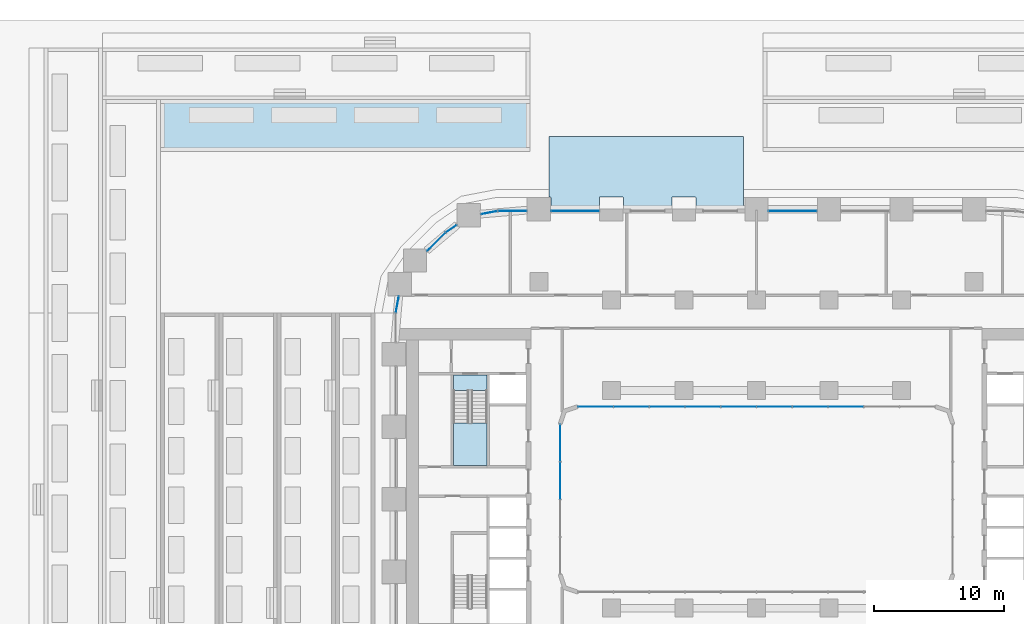
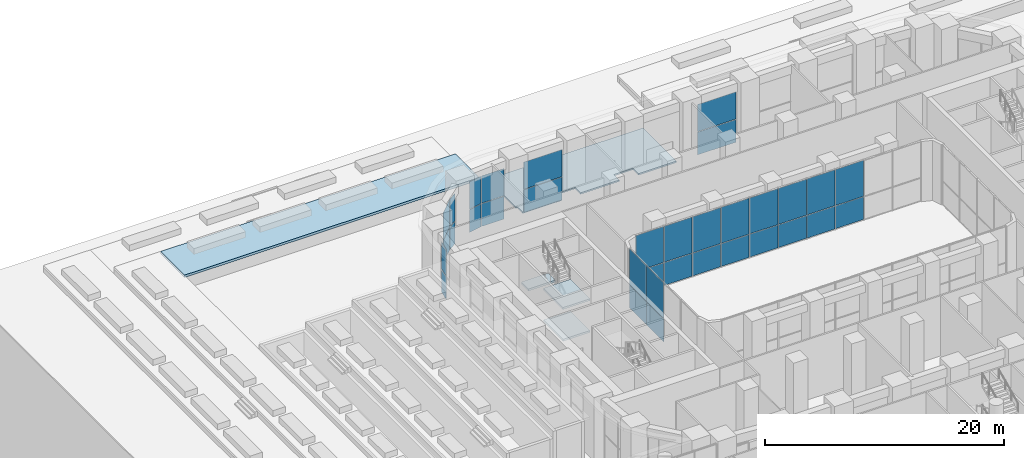
# One storey, part 25 of 51: 34 plates, 5 slabs, 10 elements without a shape of their own.
"""IFC4 building model written with IfcOpenShell, lengths in metres."""

from ifc_helpers import new_model, si_unit, direction, frame, origin, origin_2d, place, context, subcontext, project, spatial, polyline, rectangle, outline, extrude, material, layer, layer_set, type_object, element, aggregate, save


model = new_model("IFC4")

# Units and contexts
model_context = context("Model", 3, precision=1e-05, world=origin(), true_north=direction((0.0, 1.0)))
body_context = subcontext(model_context, "Body", "Model", "MODEL_VIEW")
ifc_project = project(units=[si_unit("LENGTHUNIT", "METRE"), si_unit("AREAUNIT", "SQUARE_METRE"), si_unit("VOLUMEUNIT", "CUBIC_METRE"), si_unit("PLANEANGLEUNIT", "RADIAN"), si_unit("MASSUNIT", "GRAM", prefix="KILO")], contexts=[model_context])

# Site, building, storey
site_placement = place(None, origin())
site = spatial("IfcSite", under=ifc_project, at=site_placement, CompositionType="ELEMENT")
building_placement = place(site_placement, origin())
building = spatial("IfcBuilding", under=site, at=building_placement, Name="Kiln Ring Residences", CompositionType="ELEMENT")
storey_placement = place(building_placement, origin())
storey = spatial("IfcBuildingStorey", under=building, at=storey_placement, Name="L00", CompositionType="ELEMENT", Elevation=0.0)

# Stair, slabs
ifc_material_1 = material(Name="Concrete C40/50", Category="concrete")
stair_type = type_object("IfcStairType", Name="CORE-STAIR", PredefinedType="HALF_TURN_STAIR", material=ifc_material_1)
placement = place(storey_placement, origin())
stair = element("IfcStair", 1, at=placement, inside=storey, type_object=stair_type, Name="L00 stair W-STN", PredefinedType="HALF_TURN_STAIR")
ifc_material_2 = material(Name="Concrete C40/50", Category="concrete")
ifc_layer_1 = layer(ifc_material_2, 0.199951171875)
ifc_layer_set_1 = layer_set([ifc_layer_1], Name="CORE-STAIR-LANDING")
slab_type_1 = type_object("IfcSlabType", Name="CORE-STAIR-LANDING", PredefinedType="LANDING", material=ifc_layer_set_1)
slab_1_placement = place(storey_placement, frame((0.0, 0.0, 1.425048828125)))
slab_1 = element("IfcSlab", 2, at=slab_1_placement, type_object=slab_type_1, Name="W-STN landing 1", PredefinedType="LANDING", context=body_context, shape_type="SweptSolid", body=[
    extrude(outline(polyline([(-23.39990234375, 5.8798828125), (-23.39990234375, 2.60009765625), (-20.800048828125, 2.60009765625), (-20.800048828125, 5.8798828125), (-23.39990234375, 5.8798828125)])), origin(), (0.0, 0.0, 1.0), 0.199951171875),
])
slab_2_placement = place(storey_placement, frame((0.0, 0.0, 3.050048828125)))
slab_2 = element("IfcSlab", 3, at=slab_2_placement, type_object=slab_type_1, Name="W-STN landing 2", PredefinedType="LANDING", context=body_context, shape_type="SweptSolid", body=[
    extrude(outline(polyline([(-23.39990234375, 9.60009765625), (-23.39990234375, 8.39990234375), (-20.800048828125, 8.39990234375), (-20.800048828125, 9.60009765625), (-23.39990234375, 9.60009765625)])), origin(), (0.0, 0.0, 1.0), 0.199951171875),
])
slab_3_placement = place(storey_placement, frame((0.0, 0.0, 4.675048828125)))
slab_3 = element("IfcSlab", 4, at=slab_3_placement, type_object=slab_type_1, Name="W-STN landing 3", PredefinedType="LANDING", context=body_context, shape_type="SweptSolid", body=[
    extrude(outline(polyline([(-23.39990234375, 5.8798828125), (-23.39990234375, 2.60009765625), (-20.800048828125, 2.60009765625), (-20.800048828125, 5.8798828125), (-23.39990234375, 5.8798828125)])), origin(), (0.0, 0.0, 1.0), 0.199951171875),
])
aggregate(stair, [slab_1, slab_2, slab_3])

# Curtain wall, plates
ifc_material_3 = material(Name="Aluminium and glass", Category="aluminium")
ifc_layer_2 = layer(ifc_material_3, 0.179931640625)
ifc_layer_set_2 = layer_set([ifc_layer_2], Name="CW2 CURTAIN WALL")
curtain_wall_type = type_object("IfcCurtainWallType", Name="CW2 CURTAIN WALL", PredefinedType="NOTDEFINED", material=ifc_layer_set_2)
curtain_wall_1 = element("IfcCurtainWall", 5, at=placement, inside=storey, type_object=curtain_wall_type, Name="Curtain wall CW2 L00", PredefinedType="NOTDEFINED")
ifc_material_4 = material(Name="Glass, clear toughened", Category="glass")
ifc_layer_3 = layer(ifc_material_4, 0.02392578125)
ifc_layer_set_3 = layer_set([ifc_layer_3], Name="CW2 PANEL 24")
plate_type = type_object("IfcPlateType", Name="CW2 PANEL 24", PredefinedType="CURTAIN_PANEL", material=ifc_layer_set_3)
plate_1_placement = place(storey_placement, frame((2.800048828125, 22.25, 0.0498046875), z_axis=(0.0, 0.0, 1.0), x_axis=(-1.0, 0.0, 0.0)))
plate_1 = element("IfcPlate", 6, at=plate_1_placement, type_object=plate_type, Name="CW2 panel 1.1", PredefinedType="CURTAIN_PANEL", context=body_context, shape_type="SweptSolid", body=[
    extrude(rectangle(XDim=3.699951171875, YDim=0.02392578125, at=origin_2d()), origin(), (0.0, 0.0, 1.0), 2.324951171875),
])
plate_2_placement = place(storey_placement, frame((2.800048828125, 22.25, 2.425048828125), z_axis=(0.0, 0.0, 1.0), x_axis=(-1.0, 0.0, 0.0)))
plate_2 = element("IfcPlate", 7, at=plate_2_placement, type_object=plate_type, Name="CW2 panel 1.2", PredefinedType="CURTAIN_PANEL", context=body_context, shape_type="SweptSolid", body=[
    extrude(rectangle(XDim=3.699951171875, YDim=0.02392578125, at=origin_2d()), origin(), (0.0, 0.0, 1.0), 2.77490234375),
])
aggregate(curtain_wall_1, [plate_1, plate_2])

curtain_wall_2 = element("IfcCurtainWall", 8, at=placement, inside=storey, type_object=curtain_wall_type, Name="Curtain wall CW2 L00", PredefinedType="NOTDEFINED")
plate_3_placement = place(storey_placement, frame((-14.0, 22.25, 0.0498046875), z_axis=(0.0, 0.0, 1.0), x_axis=(-1.0, 0.0, 0.0)))
plate_3 = element("IfcPlate", 9, at=plate_3_placement, type_object=plate_type, Name="CW2 panel 1.1", PredefinedType="CURTAIN_PANEL", context=body_context, shape_type="SweptSolid", body=[
    extrude(rectangle(XDim=3.699951171875, YDim=0.02392578125, at=origin_2d()), origin(), (0.0, 0.0, 1.0), 2.324951171875),
])
plate_4_placement = place(storey_placement, frame((-14.0, 22.25, 2.425048828125), z_axis=(0.0, 0.0, 1.0), x_axis=(-1.0, 0.0, 0.0)))
plate_4 = element("IfcPlate", 10, at=plate_4_placement, type_object=plate_type, Name="CW2 panel 1.2", PredefinedType="CURTAIN_PANEL", context=body_context, shape_type="SweptSolid", body=[
    extrude(rectangle(XDim=3.699951171875, YDim=0.02392578125, at=origin_2d()), origin(), (0.0, 0.0, 1.0), 2.77490234375),
])
aggregate(curtain_wall_2, [plate_3, plate_4])

curtain_wall_3 = element("IfcCurtainWall", 11, at=placement, inside=storey, type_object=curtain_wall_type, Name="Curtain wall CW2 L00", PredefinedType="NOTDEFINED")
plate_5_placement = place(storey_placement, frame((-18.85009765625, 22.25, 0.0498046875), z_axis=(0.0, 0.0, 1.0), x_axis=(-1.0, 0.0, 0.0)))
plate_5 = element("IfcPlate", 12, at=plate_5_placement, type_object=plate_type, Name="CW2 panel 1.1", PredefinedType="CURTAIN_PANEL", context=body_context, shape_type="SweptSolid", body=[
    extrude(rectangle(XDim=2.199951171875, YDim=0.02392578125, at=origin_2d()), origin(), (0.0, 0.0, 1.0), 2.324951171875),
])
plate_6_placement = place(storey_placement, frame((-18.85009765625, 22.25, 2.425048828125), z_axis=(0.0, 0.0, 1.0), x_axis=(-1.0, 0.0, 0.0)))
plate_6 = element("IfcPlate", 13, at=plate_6_placement, type_object=plate_type, Name="CW2 panel 1.2", PredefinedType="CURTAIN_PANEL", context=body_context, shape_type="SweptSolid", body=[
    extrude(rectangle(XDim=2.199951171875, YDim=0.02392578125, at=origin_2d()), origin(), (0.0, 0.0, 1.0), 2.77490234375),
])
aggregate(curtain_wall_3, [plate_5, plate_6])

curtain_wall_4 = element("IfcCurtainWall", 14, at=placement, inside=storey, type_object=curtain_wall_type, Name="Curtain wall CW2 L00", PredefinedType="NOTDEFINED")
plate_7_placement = place(storey_placement, frame((-20.637939453125, 22.125732421875, 0.0498046875), z_axis=(0.0, 0.0, 1.0), x_axis=(-0.9822902578, -0.187365550279, 0.0)))
plate_7 = element("IfcPlate", 15, at=plate_7_placement, type_object=plate_type, Name="CW2 panel 1.1", PredefinedType="CURTAIN_PANEL", context=body_context, shape_type="SweptSolid", body=[
    extrude(rectangle(XDim=1.256103515625, YDim=0.02392578125, at=origin_2d()), origin(), (0.0, 0.0, 1.0), 2.324951171875),
])
plate_8_placement = place(storey_placement, frame((-20.637939453125, 22.125732421875, 2.425048828125), z_axis=(0.0, 0.0, 1.0), x_axis=(-0.9822902578, -0.187365550279, 0.0)))
plate_8 = element("IfcPlate", 16, at=plate_8_placement, type_object=plate_type, Name="CW2 panel 1.2", PredefinedType="CURTAIN_PANEL", context=body_context, shape_type="SweptSolid", body=[
    extrude(rectangle(XDim=1.256103515625, YDim=0.02392578125, at=origin_2d()), origin(), (0.0, 0.0, 1.0), 2.77490234375),
])
aggregate(curtain_wall_4, [plate_7, plate_8])

curtain_wall_5 = element("IfcCurtainWall", 17, at=placement, inside=storey, type_object=curtain_wall_type, Name="Curtain wall CW2 L00", PredefinedType="NOTDEFINED")
plate_9_placement = place(storey_placement, frame((-23.560791015625, 20.885986328125, 0.0498046875), z_axis=(0.0, 0.0, 1.0), x_axis=(-0.827071553488, -0.562096651308, 0.0)))
plate_9 = element("IfcPlate", 18, at=plate_9_placement, type_object=plate_type, Name="CW2 panel 1.1", PredefinedType="CURTAIN_PANEL", context=body_context, shape_type="SweptSolid", body=[
    extrude(rectangle(XDim=0.9931640625, YDim=0.02392578125, at=origin_2d()), origin(), (0.0, 0.0, 1.0), 2.324951171875),
])
plate_10_placement = place(storey_placement, frame((-23.560791015625, 20.885986328125, 2.425048828125), z_axis=(0.0, 0.0, 1.0), x_axis=(-0.827071553488, -0.562096651308, 0.0)))
plate_10 = element("IfcPlate", 19, at=plate_10_placement, type_object=plate_type, Name="CW2 panel 1.2", PredefinedType="CURTAIN_PANEL", context=body_context, shape_type="SweptSolid", body=[
    extrude(rectangle(XDim=0.9931640625, YDim=0.02392578125, at=origin_2d()), origin(), (0.0, 0.0, 1.0), 2.77490234375),
])
aggregate(curtain_wall_5, [plate_9, plate_10])

curtain_wall_6 = element("IfcCurtainWall", 20, at=placement, inside=storey, type_object=curtain_wall_type, Name="Curtain wall CW2 L00", PredefinedType="NOTDEFINED")
plate_11_placement = place(storey_placement, frame((-24.725341796875, 19.862548828125, 0.0498046875), z_axis=(0.0, 0.0, 1.0), x_axis=(-0.707106781187, -0.707106781187, 0.0)))
plate_11 = element("IfcPlate", 21, at=plate_11_placement, type_object=plate_type, Name="CW2 panel 1.1", PredefinedType="CURTAIN_PANEL", context=body_context, shape_type="SweptSolid", body=[
    extrude(rectangle(XDim=1.977294921875, YDim=0.02392578125, at=origin_2d()), origin(), (0.0, 0.0, 1.0), 2.324951171875),
])
plate_12_placement = place(storey_placement, frame((-24.725341796875, 19.862548828125, 2.425048828125), z_axis=(0.0, 0.0, 1.0), x_axis=(-0.707106781187, -0.707106781187, 0.0)))
plate_12 = element("IfcPlate", 22, at=plate_12_placement, type_object=plate_type, Name="CW2 panel 1.2", PredefinedType="CURTAIN_PANEL", context=body_context, shape_type="SweptSolid", body=[
    extrude(rectangle(XDim=1.977294921875, YDim=0.02392578125, at=origin_2d()), origin(), (0.0, 0.0, 1.0), 2.77490234375),
])
aggregate(curtain_wall_6, [plate_11, plate_12])

curtain_wall_7 = element("IfcCurtainWall", 23, at=placement, inside=storey, type_object=curtain_wall_type, Name="Curtain wall CW2 L00", PredefinedType="NOTDEFINED")
plate_13_placement = place(storey_placement, frame((-27.7255859375, 15.037841796875, 0.0498046875), z_axis=(0.0, 0.0, 1.0), x_axis=(-0.187365550279, -0.9822902578, 0.0)))
plate_13 = element("IfcPlate", 24, at=plate_13_placement, type_object=plate_type, Name="CW2 panel 1.1", PredefinedType="CURTAIN_PANEL", context=body_context, shape_type="SweptSolid", body=[
    extrude(rectangle(XDim=1.256103515625, YDim=0.02392578125, at=origin_2d()), origin(), (0.0, 0.0, 1.0), 2.324951171875),
])
plate_14_placement = place(storey_placement, frame((-27.7255859375, 15.037841796875, 2.425048828125), z_axis=(0.0, 0.0, 1.0), x_axis=(-0.187365550279, -0.9822902578, 0.0)))
plate_14 = element("IfcPlate", 25, at=plate_14_placement, type_object=plate_type, Name="CW2 panel 1.2", PredefinedType="CURTAIN_PANEL", context=body_context, shape_type="SweptSolid", body=[
    extrude(rectangle(XDim=1.256103515625, YDim=0.02392578125, at=origin_2d()), origin(), (0.0, 0.0, 1.0), 2.77490234375),
])
aggregate(curtain_wall_7, [plate_13, plate_14])

curtain_wall_8 = element("IfcCurtainWall", 26, at=placement, inside=storey, type_object=curtain_wall_type, Name="Curtain wall CW2 L00", PredefinedType="NOTDEFINED")
plate_15_placement = place(storey_placement, frame((-15.14990234375, 1.449951171875, 0.0498046875), z_axis=(0.0, 0.0, 1.0), x_axis=(0.0, 1.0, 0.0)))
plate_15 = element("IfcPlate", 27, at=plate_15_placement, type_object=plate_type, Name="CW2 panel 3.1", PredefinedType="CURTAIN_PANEL", context=body_context, shape_type="SweptSolid", body=[
    extrude(rectangle(XDim=2.85009765625, YDim=0.02392578125, at=origin_2d()), origin(), (0.0, 0.0, 1.0), 2.324951171875),
])
plate_16_placement = place(storey_placement, frame((-15.14990234375, 1.449951171875, 2.4248046875), z_axis=(0.0, 0.0, 1.0), x_axis=(0.0, 1.0, 0.0)))
plate_16 = element("IfcPlate", 28, at=plate_16_placement, type_object=plate_type, Name="CW2 panel 3.2", PredefinedType="CURTAIN_PANEL", context=body_context, shape_type="SweptSolid", body=[
    extrude(rectangle(XDim=2.85009765625, YDim=0.02392578125, at=origin_2d()), origin(), (0.0, 0.0, 1.0), 3.675048828125),
])
plate_17_placement = place(storey_placement, frame((-15.14990234375, 4.33740234375, 0.0498046875), z_axis=(0.0, 0.0, 1.0), x_axis=(0.0, 1.0, 0.0)))
plate_17 = element("IfcPlate", 29, at=plate_17_placement, type_object=plate_type, Name="CW2 panel 4.1", PredefinedType="CURTAIN_PANEL", context=body_context, shape_type="SweptSolid", body=[
    extrude(rectangle(XDim=2.824951171875, YDim=0.02392578125, at=origin_2d()), origin(), (0.0, 0.0, 1.0), 2.324951171875),
])
plate_18_placement = place(storey_placement, frame((-15.14990234375, 4.33740234375, 2.4248046875), z_axis=(0.0, 0.0, 1.0), x_axis=(0.0, 1.0, 0.0)))
plate_18 = element("IfcPlate", 30, at=plate_18_placement, type_object=plate_type, Name="CW2 panel 4.2", PredefinedType="CURTAIN_PANEL", context=body_context, shape_type="SweptSolid", body=[
    extrude(rectangle(XDim=2.824951171875, YDim=0.02392578125, at=origin_2d()), origin(), (0.0, 0.0, 1.0), 3.675048828125),
])
aggregate(curtain_wall_8, [plate_15, plate_16, plate_17, plate_18])

curtain_wall_9 = element("IfcCurtainWall", 31, at=placement, inside=storey, type_object=curtain_wall_type, Name="Curtain wall CW2 L00", PredefinedType="NOTDEFINED")
plate_19_placement = place(storey_placement, frame((-12.407470703125, 7.14990234375, 0.0498046875), z_axis=(0.0, 0.0, 1.0), x_axis=(1.0, 0.0, 0.0)))
plate_19 = element("IfcPlate", 32, at=plate_19_placement, type_object=plate_type, Name="CW2 panel 1.1", PredefinedType="CURTAIN_PANEL", context=body_context, shape_type="SweptSolid", body=[
    extrude(rectangle(XDim=2.68505859375, YDim=0.02392578125, at=origin_2d()), origin(), (0.0, 0.0, 1.0), 2.324951171875),
])
plate_20_placement = place(storey_placement, frame((-12.407470703125, 7.14990234375, 2.4248046875), z_axis=(0.0, 0.0, 1.0), x_axis=(1.0, 0.0, 0.0)))
plate_20 = element("IfcPlate", 33, at=plate_20_placement, type_object=plate_type, Name="CW2 panel 1.2", PredefinedType="CURTAIN_PANEL", context=body_context, shape_type="SweptSolid", body=[
    extrude(rectangle(XDim=2.68505859375, YDim=0.02392578125, at=origin_2d()), origin(), (0.0, 0.0, 1.0), 3.675048828125),
])
plate_21_placement = place(storey_placement, frame((-9.659912109375, 7.14990234375, 0.0498046875), z_axis=(0.0, 0.0, 1.0), x_axis=(1.0, 0.0, 0.0)))
plate_21 = element("IfcPlate", 34, at=plate_21_placement, type_object=plate_type, Name="CW2 panel 2.1", PredefinedType="CURTAIN_PANEL", context=body_context, shape_type="SweptSolid", body=[
    extrude(rectangle(XDim=2.7099609375, YDim=0.02392578125, at=origin_2d()), origin(), (0.0, 0.0, 1.0), 2.324951171875),
])
plate_22_placement = place(storey_placement, frame((-9.659912109375, 7.14990234375, 2.4248046875), z_axis=(0.0, 0.0, 1.0), x_axis=(1.0, 0.0, 0.0)))
plate_22 = element("IfcPlate", 35, at=plate_22_placement, type_object=plate_type, Name="CW2 panel 2.2", PredefinedType="CURTAIN_PANEL", context=body_context, shape_type="SweptSolid", body=[
    extrude(rectangle(XDim=2.7099609375, YDim=0.02392578125, at=origin_2d()), origin(), (0.0, 0.0, 1.0), 3.675048828125),
])
plate_23_placement = place(storey_placement, frame((-6.89990234375, 7.14990234375, 0.0498046875), z_axis=(0.0, 0.0, 1.0), x_axis=(1.0, 0.0, 0.0)))
plate_23 = element("IfcPlate", 36, at=plate_23_placement, type_object=plate_type, Name="CW2 panel 3.1", PredefinedType="CURTAIN_PANEL", context=body_context, shape_type="SweptSolid", body=[
    extrude(rectangle(XDim=2.7099609375, YDim=0.02392578125, at=origin_2d()), origin(), (0.0, 0.0, 1.0), 2.324951171875),
])
plate_24_placement = place(storey_placement, frame((-6.89990234375, 7.14990234375, 2.4248046875), z_axis=(0.0, 0.0, 1.0), x_axis=(1.0, 0.0, 0.0)))
plate_24 = element("IfcPlate", 37, at=plate_24_placement, type_object=plate_type, Name="CW2 panel 3.2", PredefinedType="CURTAIN_PANEL", context=body_context, shape_type="SweptSolid", body=[
    extrude(rectangle(XDim=2.7099609375, YDim=0.02392578125, at=origin_2d()), origin(), (0.0, 0.0, 1.0), 3.675048828125),
])
plate_25_placement = place(storey_placement, frame((-4.139892578125, 7.14990234375, 0.0498046875), z_axis=(0.0, 0.0, 1.0), x_axis=(1.0, 0.0, 0.0)))
plate_25 = element("IfcPlate", 38, at=plate_25_placement, type_object=plate_type, Name="CW2 panel 4.1", PredefinedType="CURTAIN_PANEL", context=body_context, shape_type="SweptSolid", body=[
    extrude(rectangle(XDim=2.7099609375, YDim=0.02392578125, at=origin_2d()), origin(), (0.0, 0.0, 1.0), 2.324951171875),
])
plate_26_placement = place(storey_placement, frame((-4.139892578125, 7.14990234375, 2.4248046875), z_axis=(0.0, 0.0, 1.0), x_axis=(1.0, 0.0, 0.0)))
plate_26 = element("IfcPlate", 39, at=plate_26_placement, type_object=plate_type, Name="CW2 panel 4.2", PredefinedType="CURTAIN_PANEL", context=body_context, shape_type="SweptSolid", body=[
    extrude(rectangle(XDim=2.7099609375, YDim=0.02392578125, at=origin_2d()), origin(), (0.0, 0.0, 1.0), 3.675048828125),
])
plate_27_placement = place(storey_placement, frame((-1.3798828125, 7.14990234375, 0.0498046875), z_axis=(0.0, 0.0, 1.0), x_axis=(1.0, 0.0, 0.0)))
plate_27 = element("IfcPlate", 40, at=plate_27_placement, type_object=plate_type, Name="CW2 panel 5.1", PredefinedType="CURTAIN_PANEL", context=body_context, shape_type="SweptSolid", body=[
    extrude(rectangle(XDim=2.7099609375, YDim=0.02392578125, at=origin_2d()), origin(), (0.0, 0.0, 1.0), 2.324951171875),
])
plate_28_placement = place(storey_placement, frame((-1.3798828125, 7.14990234375, 2.4248046875), z_axis=(0.0, 0.0, 1.0), x_axis=(1.0, 0.0, 0.0)))
plate_28 = element("IfcPlate", 41, at=plate_28_placement, type_object=plate_type, Name="CW2 panel 5.2", PredefinedType="CURTAIN_PANEL", context=body_context, shape_type="SweptSolid", body=[
    extrude(rectangle(XDim=2.7099609375, YDim=0.02392578125, at=origin_2d()), origin(), (0.0, 0.0, 1.0), 3.675048828125),
])
plate_29_placement = place(storey_placement, frame((1.3798828125, 7.14990234375, 0.0498046875), z_axis=(0.0, 0.0, 1.0), x_axis=(1.0, 0.0, 0.0)))
plate_29 = element("IfcPlate", 42, at=plate_29_placement, type_object=plate_type, Name="CW2 panel 6.1", PredefinedType="CURTAIN_PANEL", context=body_context, shape_type="SweptSolid", body=[
    extrude(rectangle(XDim=2.7099609375, YDim=0.02392578125, at=origin_2d()), origin(), (0.0, 0.0, 1.0), 2.324951171875),
])
plate_30_placement = place(storey_placement, frame((1.3798828125, 7.14990234375, 2.4248046875), z_axis=(0.0, 0.0, 1.0), x_axis=(1.0, 0.0, 0.0)))
plate_30 = element("IfcPlate", 43, at=plate_30_placement, type_object=plate_type, Name="CW2 panel 6.2", PredefinedType="CURTAIN_PANEL", context=body_context, shape_type="SweptSolid", body=[
    extrude(rectangle(XDim=2.7099609375, YDim=0.02392578125, at=origin_2d()), origin(), (0.0, 0.0, 1.0), 3.675048828125),
])
plate_31_placement = place(storey_placement, frame((4.139892578125, 7.14990234375, 0.0498046875), z_axis=(0.0, 0.0, 1.0), x_axis=(1.0, 0.0, 0.0)))
plate_31 = element("IfcPlate", 44, at=plate_31_placement, type_object=plate_type, Name="CW2 panel 7.1", PredefinedType="CURTAIN_PANEL", context=body_context, shape_type="SweptSolid", body=[
    extrude(rectangle(XDim=2.7099609375, YDim=0.02392578125, at=origin_2d()), origin(), (0.0, 0.0, 1.0), 2.324951171875),
])
plate_32_placement = place(storey_placement, frame((4.139892578125, 7.14990234375, 2.4248046875), z_axis=(0.0, 0.0, 1.0), x_axis=(1.0, 0.0, 0.0)))
plate_32 = element("IfcPlate", 45, at=plate_32_placement, type_object=plate_type, Name="CW2 panel 7.2", PredefinedType="CURTAIN_PANEL", context=body_context, shape_type="SweptSolid", body=[
    extrude(rectangle(XDim=2.7099609375, YDim=0.02392578125, at=origin_2d()), origin(), (0.0, 0.0, 1.0), 3.675048828125),
])
plate_33_placement = place(storey_placement, frame((6.89990234375, 7.14990234375, 0.0498046875), z_axis=(0.0, 0.0, 1.0), x_axis=(1.0, 0.0, 0.0)))
plate_33 = element("IfcPlate", 46, at=plate_33_placement, type_object=plate_type, Name="CW2 panel 8.1", PredefinedType="CURTAIN_PANEL", context=body_context, shape_type="SweptSolid", body=[
    extrude(rectangle(XDim=2.7099609375, YDim=0.02392578125, at=origin_2d()), origin(), (0.0, 0.0, 1.0), 2.324951171875),
])
plate_34_placement = place(storey_placement, frame((6.89990234375, 7.14990234375, 2.4248046875), z_axis=(0.0, 0.0, 1.0), x_axis=(1.0, 0.0, 0.0)))
plate_34 = element("IfcPlate", 47, at=plate_34_placement, type_object=plate_type, Name="CW2 panel 8.2", PredefinedType="CURTAIN_PANEL", context=body_context, shape_type="SweptSolid", body=[
    extrude(rectangle(XDim=2.7099609375, YDim=0.02392578125, at=origin_2d()), origin(), (0.0, 0.0, 1.0), 3.675048828125),
])
aggregate(curtain_wall_9, [plate_19, plate_20, plate_21, plate_22, plate_23, plate_24, plate_25, plate_26, plate_27, plate_28, plate_29, plate_30, plate_31, plate_32, plate_33, plate_34])

# Slabs
ifc_material_5 = material(Name="Concrete paving C30/37", Category="concrete")
ifc_layer_4 = layer(ifc_material_5, 0.14990234375)
ifc_layer_set_4 = layer_set([ifc_layer_4], Name="PAVING 150")
slab_type_2 = type_object("IfcSlabType", Name="PAVING 150", PredefinedType="USERDEFINED", material=ifc_layer_set_4)
slab_4_placement = place(storey_placement, frame((0.0, 0.0, -0.14990234375)))
element("IfcSlab", 48, at=slab_4_placement, inside=storey, type_object=slab_type_2, Name="PAVING public garden", ObjectType="PAVING", PredefinedType="USERDEFINED", context=body_context, shape_type="SweptSolid", body=[
    extrude(outline(polyline([(-1.0, 28.0), (-16.0, 28.0), (-16.0, 23.320068359375), (-15.89990234375, 23.320068359375), (-15.89794921875, 23.31982421875), (-15.89599609375, 23.319580078125), (-15.894287109375, 23.319091796875), (-15.892333984375, 23.318603515625), (-15.890625, 23.317626953125), (-15.888916015625, 23.316650390625), (-15.88720703125, 23.3154296875), (-15.885986328125, 23.314208984375), (-15.884521484375, 23.312744140625), (-15.88330078125, 23.31103515625), (-15.88232421875, 23.309326171875), (-15.881591796875, 23.3076171875), (-15.880859375, 23.305908203125), (-15.88037109375, 23.303955078125), (-15.880126953125, 23.302001953125), (-15.8798828125, 23.300048828125), (-15.8798828125, 22.39990234375), (-12.1201171875, 22.39990234375), (-12.1201171875, 23.300048828125), (-12.119873046875, 23.302001953125), (-12.11962890625, 23.303955078125), (-12.119140625, 23.305908203125), (-12.118408203125, 23.3076171875), (-12.11767578125, 23.309326171875), (-12.11669921875, 23.31103515625), (-12.115478515625, 23.312744140625), (-12.114013671875, 23.314208984375), (-12.11279296875, 23.3154296875), (-12.111083984375, 23.316650390625), (-12.109375, 23.317626953125), (-12.107666015625, 23.318603515625), (-12.105712890625, 23.319091796875), (-12.10400390625, 23.319580078125), (-12.10205078125, 23.31982421875), (-12.10009765625, 23.320068359375), (-10.300048828125, 23.320068359375), (-10.298095703125, 23.31982421875), (-10.296142578125, 23.319580078125), (-10.294189453125, 23.319091796875), (-10.292236328125, 23.318603515625), (-10.29052734375, 23.317626953125), (-10.288818359375, 23.316650390625), (-10.287353515625, 23.3154296875), (-10.285888671875, 23.314208984375), (-10.284423828125, 23.312744140625), (-10.283447265625, 23.31103515625), (-10.282470703125, 23.309326171875), (-10.281494140625, 23.3076171875), (-10.281005859375, 23.305908203125), (-10.280517578125, 23.303955078125), (-10.280029296875, 23.302001953125), (-10.280029296875, 23.300048828125), (-10.280029296875, 22.39990234375), (-6.52001953125, 22.39990234375), (-6.52001953125, 23.300048828125), (-6.52001953125, 23.302001953125), (-6.51953125, 23.303955078125), (-6.51904296875, 23.305908203125), (-6.5185546875, 23.3076171875), (-6.517578125, 23.309326171875), (-6.5166015625, 23.31103515625), (-6.515380859375, 23.312744140625), (-6.51416015625, 23.314208984375), (-6.5126953125, 23.3154296875), (-6.510986328125, 23.316650390625), (-6.509521484375, 23.317626953125), (-6.5078125, 23.318603515625), (-6.505859375, 23.319091796875), (-6.50390625, 23.319580078125), (-6.501953125, 23.31982421875), (-6.5, 23.320068359375), (-4.699951171875, 23.320068359375), (-4.697998046875, 23.31982421875), (-4.696044921875, 23.319580078125), (-4.694091796875, 23.319091796875), (-4.6923828125, 23.318603515625), (-4.690673828125, 23.317626953125), (-4.68896484375, 23.316650390625), (-4.687255859375, 23.3154296875), (-4.685791015625, 23.314208984375), (-4.6845703125, 23.312744140625), (-4.683349609375, 23.31103515625), (-4.682373046875, 23.309326171875), (-4.681396484375, 23.3076171875), (-4.680908203125, 23.305908203125), (-4.680419921875, 23.303955078125), (-4.68017578125, 23.302001953125), (-4.679931640625, 23.300048828125), (-4.679931640625, 22.39990234375), (-1.0, 22.39990234375), (-1.0, 28.0)])), origin(), (0.0, 0.0, 1.0), 0.14990234375),
])
ifc_material_6 = material(Name="Concrete C35/45", Category="concrete")
ifc_layer_5 = layer(ifc_material_6, 0.25)
ifc_layer_set_5 = layer_set([ifc_layer_5], Name="TERRACE SLAB 250")
slab_type_3 = type_object("IfcSlabType", Name="TERRACE SLAB 250", PredefinedType="FLOOR", material=ifc_layer_set_5)
slab_5_placement = place(storey_placement, frame((0.0, 0.0, 1.14990234375)))
element("IfcSlab", 49, at=slab_5_placement, inside=storey, type_object=slab_type_3, Name="Planted terrace N1W", PredefinedType="FLOOR", context=body_context, shape_type="SweptSolid", body=[
    extrude(outline(polyline([(-17.5, 26.85009765625), (-17.5, 30.85009765625), (-46.0, 30.85009765625), (-46.0, 26.85009765625), (-17.5, 26.85009765625)])), origin(), (0.0, 0.0, 1.0), 0.25),
])

save(model, "model.ifc")
